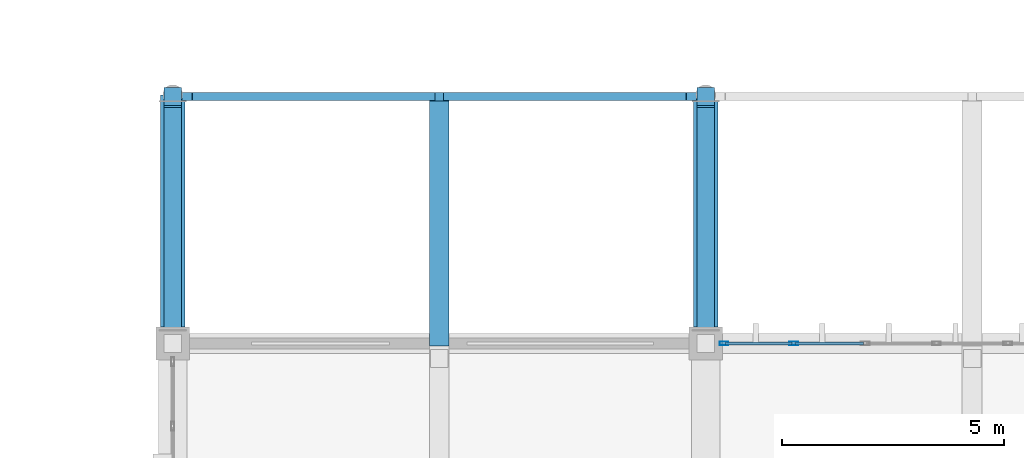
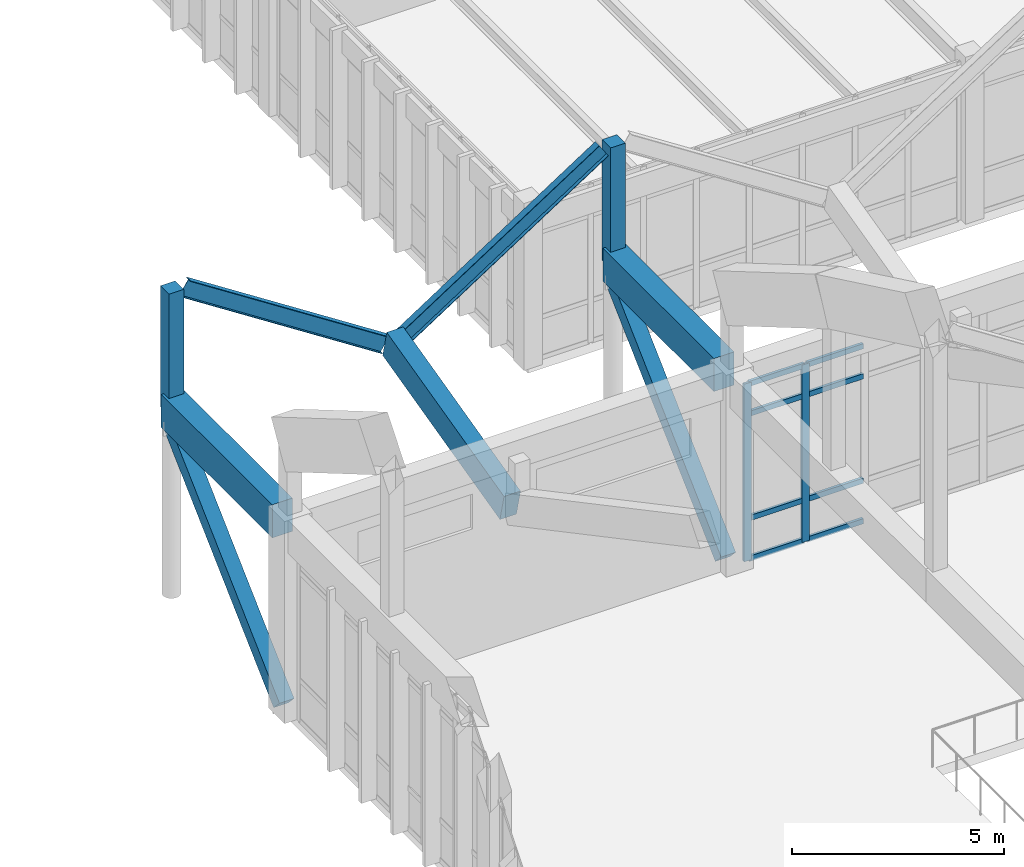
# One storey, part 72 of 236: 14 members, 5 beams, 1 element without a shape of its own.
"""IFC4 building model written with IfcOpenShell, lengths in metres."""

import ifcopenshell
import ifcopenshell.guid

model = None  # the IFC model being written
_history = None  # IfcOwnerHistory: only IFC2X3 demands one
_inside = {}  # id of a spatial element -> (the spatial element, [elements in it])
_under = {}  # id of a project, library or spatial element -> (it, [spatial elements below it])
_declared = {}  # id of a project -> (the project, [libraries it declares])
_typed = {}  # id of a type object -> (the type object, [elements of that type])
_made_of = {}  # id of a material, layer set ... -> (it, [elements and type objects made of it])


def new_model(schema):
    """Start an empty IFC model of exactly this schema.

    Asked for "IFC4X3", IfcOpenShell would pick the latest addendum, in which some entities
    have other attributes; the version numbers below select the first issue.
    IFC2X3 requires an IfcOwnerHistory on every rooted entity: one is made here for all.
    """
    global model, _history
    if schema == "IFC4X3":
        model = ifcopenshell.file(schema_version=(4, 3, 0, 0))
    else:
        model = ifcopenshell.file(schema=schema)
    _inside.clear()
    _under.clear()
    _declared.clear()
    _typed.clear()
    _made_of.clear()
    _history = None
    if model.schema == "IFC2X3":
        org = make("IfcOrganization", Name="unknown")
        user = make(
            "IfcPersonAndOrganization",
            ThePerson=make("IfcPerson", FamilyName="unknown"),
            TheOrganization=org,
        )
        app = make(
            "IfcApplication",
            ApplicationDeveloper=org,
            Version="unknown",
            ApplicationFullName="unknown",
            ApplicationIdentifier="unknown",
        )
        _history = make(
            "IfcOwnerHistory",
            OwningUser=user,
            OwningApplication=app,
            ChangeAction="ADDED",
            CreationDate=0,
        )
    return model


def make(cls, **values):
    """One entity of the class cls with the attributes given. An attribute that is None is left unset."""
    return model.create_entity(
        cls, **{name: value for name, value in values.items() if value is not None}
    )


def rooted(cls, **values):
    """An entity with a GlobalId (a new one), such as an element, a storey or a relation."""
    return make(cls, GlobalId=ifcopenshell.guid.new(), OwnerHistory=_history, **values)


def si_unit(unit_type, name, prefix=None):
    """IfcSIUnit, for example si_unit("LENGTHUNIT", "METRE", prefix="MILLI")."""
    return make("IfcSIUnit", UnitType=unit_type, Prefix=prefix, Name=name)


def assignment(units):
    """IfcUnitAssignment: the units of a project."""
    return None if units is None else make("IfcUnitAssignment", Units=units)


def point(xyz):
    """IfcCartesianPoint."""
    return None if xyz is None else make("IfcCartesianPoint", Coordinates=xyz)


def direction(xyz):
    """IfcDirection."""
    return None if xyz is None else make("IfcDirection", DirectionRatios=xyz)


def frame(location, z_axis=None, x_axis=None):
    """IfcAxis2Placement3D, a coordinate frame: its origin and axes. An axis left out is left unset."""
    return make(
        "IfcAxis2Placement3D",
        Location=point(location),
        Axis=direction(z_axis),
        RefDirection=direction(x_axis),
    )


def frame_2d(location, x_axis=None):
    """IfcAxis2Placement2D, a coordinate frame in the plane: its origin and x axis."""
    return make(
        "IfcAxis2Placement2D", Location=point(location), RefDirection=direction(x_axis)
    )


def origin():
    """The frame at (0, 0, 0) with its axes left unset."""
    return frame((0.0, 0.0, 0.0))


def origin_2d():
    """The frame at (0, 0) in the plane with its x axis left unset."""
    return frame_2d((0.0, 0.0))


def place(relative_to, where):
    """IfcLocalPlacement: puts the frame where relative to a parent placement (None: the world)."""
    return make(
        "IfcLocalPlacement", PlacementRelTo=relative_to, RelativePlacement=where
    )


def context(
    kind, dimensions, precision=None, world=None, true_north=None, identifier=None
):
    """IfcGeometricRepresentationContext, for example the 3D "Model" context."""
    return make(
        "IfcGeometricRepresentationContext",
        ContextIdentifier=identifier,
        ContextType=kind,
        CoordinateSpaceDimension=dimensions,
        Precision=precision,
        WorldCoordinateSystem=world,
        TrueNorth=true_north,
    )


def subcontext(parent, identifier, kind, view, scale=None):
    """IfcGeometricRepresentationSubContext, for example "Body" below "Model"."""
    return make(
        "IfcGeometricRepresentationSubContext",
        ContextIdentifier=identifier,
        ContextType=kind,
        ParentContext=parent,
        TargetScale=scale,
        TargetView=view,
    )


def project(units=None, contexts=None):
    """IfcProject with its units and contexts."""
    return rooted(
        "IfcProject",
        Name="project",
        RepresentationContexts=contexts,
        UnitsInContext=assignment(units),
    )


def spatial(cls, under=None, at=None, **own):
    """A site, building, storey or space (cls), placed at a placement, below another one or the project."""
    s = rooted(cls, ObjectPlacement=at, **own)
    if under is not None:
        _under.setdefault(under.id(), (under, []))[1].append(s)
    return s


def profile(cls, at=None, kind="AREA", **sizes):
    """A parametric profile (cls). Its sizes go by their IFC names, for example OverallWidth=200.0."""
    return make(cls, ProfileType=kind, Position=at, **sizes)


def rectangle(**sizes):
    """IfcRectangleProfileDef."""
    return profile("IfcRectangleProfileDef", **sizes)


def hollow_rectangle(**sizes):
    """IfcRectangleHollowProfileDef."""
    return profile("IfcRectangleHollowProfileDef", **sizes)


def i_section(**sizes):
    """IfcIShapeProfileDef."""
    return profile("IfcIShapeProfileDef", **sizes)


def extrude(swept, where, along, depth):
    """IfcExtrudedAreaSolid: the profile swept, set in the frame where, extruded along a direction by depth."""
    return make(
        "IfcExtrudedAreaSolid",
        SweptArea=swept,
        Position=where,
        ExtrudedDirection=direction(along),
        Depth=depth,
    )


def shape(context_of_items, identifier, shape_type, items):
    """IfcShapeRepresentation: the items that make up one representation, for example the "Body"."""
    return make(
        "IfcShapeRepresentation",
        ContextOfItems=context_of_items,
        RepresentationIdentifier=identifier,
        RepresentationType=shape_type,
        Items=items,
    )


def material(Name=None, Category=None):
    """IfcMaterial."""
    return make("IfcMaterial", Name=Name, Category=Category)


def layer(
    of_material, thickness, ventilated=None, Name=None, Category=None, Priority=None
):
    """IfcMaterialLayer: one layer of a wall or slab, of a material (None: an air gap)."""
    return make(
        "IfcMaterialLayer",
        Material=of_material,
        LayerThickness=thickness,
        IsVentilated=ventilated,
        Name=Name,
        Category=Category,
        Priority=Priority,
    )


def layer_set(layers, Name=None):
    """IfcMaterialLayerSet."""
    return make("IfcMaterialLayerSet", MaterialLayers=layers, LayerSetName=Name)


def material_profile(
    of_material, cross_section, Name=None, Category=None, Priority=None
):
    """IfcMaterialProfile: a cross section and its material."""
    return make(
        "IfcMaterialProfile",
        Name=Name,
        Material=of_material,
        Profile=cross_section,
        Priority=Priority,
        Category=Category,
    )


def profile_set(profiles, Name=None, composite=None):
    """IfcMaterialProfileSet."""
    return make(
        "IfcMaterialProfileSet",
        Name=Name,
        MaterialProfiles=profiles,
        CompositeProfile=composite,
    )


def made_of(thing, what):
    """Note that an element or type object is made of a material, layer set ...; save() writes the relation."""
    if what is not None:
        _made_of.setdefault(what.id(), (what, []))[1].append(thing)
    return thing


def type_object(cls, material=None, **own):
    """A type object (cls), such as IfcWallType, which elements share."""
    return made_of(rooted(cls, **own), material)


def element(
    cls,
    number,
    at=None,
    inside=None,
    cuts=None,
    type_object=None,
    material=None,
    context=None,
    identifier="Body",
    shape_type=None,
    held_by="IfcProductDefinitionShape",
    body=None,
    shapes=None,
    **own,
):
    """One element of the class cls, such as IfcWall. Its Tag is "e" and its number.

    at: its placement. inside: the storey or other place that contains it. cuts: it is an
    opening in that element (IfcRelVoidsElement). A single representation is given by context,
    identifier, shape_type and body (its items); several are given by shapes. held_by: the class
    of the entity that holds the representations. save() writes the other relations.
    """
    e = rooted(cls, Tag="e%d" % number, ObjectPlacement=at, **own)
    if body is not None:
        shapes = [shape(context, identifier, shape_type, body)]
    if shapes is not None:
        e.Representation = make(held_by, Representations=shapes)
    if inside is not None:
        _inside.setdefault(inside.id(), (inside, []))[1].append(e)
    if cuts is not None:
        rooted(
            "IfcRelVoidsElement", RelatingBuildingElement=cuts, RelatedOpeningElement=e
        )
    if type_object is not None:
        _typed.setdefault(type_object.id(), (type_object, []))[1].append(e)
    return made_of(e, material)


def aggregate(whole, parts):
    """IfcRelAggregates: a whole, such as a stair, and the parts it consists of."""
    return rooted("IfcRelAggregates", RelatingObject=whole, RelatedObjects=parts)


def save(model, path):
    """Write the relations noted so far, then the file.

    IfcRelAggregates (storeys below a building ...), IfcRelContainedInSpatialStructure (elements
    in a storey), IfcRelDefinesByType, IfcRelAssociatesMaterial and IfcRelDeclares: one each for
    every whole, place, type object, material and project.
    """
    for whole, parts in _under.values():
        aggregate(whole, parts)
    for where, things in _inside.values():
        rooted(
            "IfcRelContainedInSpatialStructure",
            RelatedElements=things,
            RelatingStructure=where,
        )
    for kind, things in _typed.values():
        rooted("IfcRelDefinesByType", RelatedObjects=things, RelatingType=kind)
    for what, things in _made_of.values():
        rooted("IfcRelAssociatesMaterial", RelatedObjects=things, RelatingMaterial=what)
    for by, libraries in _declared.values():
        rooted("IfcRelDeclares", RelatingContext=by, RelatedDefinitions=libraries)
    model.write(path)


model = new_model("IFC4")

# Units and contexts
model_context = context("Model", 3, precision=1e-05, world=origin(), true_north=direction((0.0, 1.0)))
body_context = subcontext(model_context, "Body", "Model", "MODEL_VIEW")
ifc_project = project(units=[si_unit("LENGTHUNIT", "METRE"), si_unit("AREAUNIT", "SQUARE_METRE"), si_unit("VOLUMEUNIT", "CUBIC_METRE"), si_unit("PLANEANGLEUNIT", "RADIAN"), si_unit("MASSUNIT", "GRAM", prefix="KILO")], contexts=[model_context])

# Site, building, storey
site_placement = place(None, origin())
site = spatial("IfcSite", under=ifc_project, at=site_placement, CompositionType="ELEMENT")
building_placement = place(site_placement, origin())
building = spatial("IfcBuilding", under=site, at=building_placement, Name="Pandanus Reach Market Hall", CompositionType="ELEMENT")
storey_placement = place(building_placement, frame((0.0, 0.0, 5.39990234375)))
storey = spatial("IfcBuildingStorey", under=building, at=storey_placement, Name="L01", CompositionType="ELEMENT", Elevation=5.39990234375)

# Members
ifc_material_1 = material(Name="Concrete N50 (50 MPa)", Category="concrete")
ifc_material_profile_1 = material_profile(ifc_material_1, rectangle(XDim=0.39990234375, YDim=0.39990234375, at=origin_2d()), Name="RC400x400", Category="LoadBearing")
ifc_profile_set_1 = profile_set([ifc_material_profile_1], Name="Concrete N50 (50 MPa)")
member_type_1 = type_object("IfcMemberType", Name="AR-WEB400-E", PredefinedType="STRUT", material=ifc_profile_set_1)
for number, where, z_axis, x_axis, name in (
    (1, (48.0, 91.9599609375, 5.3251953125), (0.0, 0.0, 1.0), (1.0, 0.0, 0.0), "Zigzag eaves ridge post A1.N"),
    (2, (60.0, 91.9599609375, 5.3251953125), (0.0, 0.0, 1.0), (1.0, 0.0, 0.0), "Zigzag eaves ridge post A2.N"),
):
    element("IfcMember", number, at=place(storey_placement, frame(where, z_axis=z_axis, x_axis=x_axis)), inside=storey, type_object=member_type_1, Name=name, PredefinedType="STRUT", context=body_context, shape_type="SweptSolid", body=[
        extrude(rectangle(XDim=0.39990234375, YDim=0.39990234375, at=origin_2d()), origin(), (0.0, 0.0, 1.0), 3.474853515625),
    ])

# Beams
ifc_material_2 = material(Name="Concrete N40 (40 MPa)", Category="concrete")
ifc_material_profile_2 = material_profile(ifc_material_2, rectangle(XDim=0.449951171875, YDim=0.800048828125, at=origin_2d()), Name="RC450x800", Category="LoadBearing")
ifc_profile_set_2 = profile_set([ifc_material_profile_2], Name="Concrete N40 (40 MPa)")
beam_type_1 = type_object("IfcBeamType", Name="BM-RC450-I", PredefinedType="BEAM", material=ifc_profile_set_2)
beam_placement = place(storey_placement, frame((54.0, 86.43994140625, 3.7900390625), z_axis=(0.0, 0.97055017704, 0.240899053231), x_axis=(-1.0, 0.0, 0.0)))
element("IfcBeam", 3, at=beam_placement, inside=storey, type_object=beam_type_1, Name="Butterfly valley beam B1.8", PredefinedType="BEAM", context=body_context, shape_type="SweptSolid", body=[
    extrude(rectangle(XDim=0.449951171875, YDim=0.800048828125, at=origin_2d()), origin(), (0.0, 0.0, 1.0), 5.6875),
])
ifc_material_profile_3 = material_profile(ifc_material_1, rectangle(XDim=0.550048828125, YDim=0.949951171875, at=origin_2d()), Name="RC550x950", Category="LoadBearing")
ifc_profile_set_3 = profile_set([ifc_material_profile_3], Name="Concrete N50 (50 MPa)")
beam_type_2 = type_object("IfcBeamType", Name="BM-RC550-E", PredefinedType="BEAM", material=ifc_profile_set_3)
for number, where, z_axis, x_axis, name in (
    (4, (48.0, 86.77001953125, 5.3251953125), (0.0, 1.0, 0.0), (-1.0, 0.0, 0.0), "Zigzag north eaves cantilever girder A1N"),
    (5, (60.0, 86.77001953125, 5.3251953125), (0.0, 1.0, 0.0), (-1.0, 0.0, 0.0), "Zigzag north eaves cantilever girder A2N"),
):
    element("IfcBeam", number, at=place(storey_placement, frame(where, z_axis=z_axis, x_axis=x_axis)), inside=storey, type_object=beam_type_2, Name=name, PredefinedType="BEAM", context=body_context, shape_type="SweptSolid", body=[
        extrude(rectangle(XDim=0.550048828125, YDim=0.949951171875, at=origin_2d()), origin(), (0.0, 0.0, 1.0), 5.22998046875),
    ])
ifc_material_3 = material(Name="Steel Grade 350 (350 MPa)", Category="steel")
ifc_material_profile_4 = material_profile(ifc_material_3, i_section(OverallWidth=0.18994140625, OverallDepth=0.45703125, WebThickness=0.009033203125, FlangeThickness=0.014404296875, at=origin_2d()), Name="460UB74.6", Category="LoadBearing")
ifc_profile_set_4 = profile_set([ifc_material_profile_4], Name="Steel Grade 350 (350 MPa)")
beam_type_3 = type_object("IfcBeamType", Name="BM-UB460-E", PredefinedType="BEAM", material=ifc_profile_set_4)
for number, where, z_axis, x_axis, name in (
    (6, (48.320068359375, 91.9599609375, 8.7001953125), (0.839070527962, 0.0, -0.544022654956), (0.0, 1.0, 0.0), "Butterfly transverse rib B1.8L"),
    (7, (54.219970703125, 91.9599609375, 5.16015625), (0.839070527962, 0.0, 0.544022654956), (0.0, 1.0, 0.0), "Butterfly transverse rib B1.8R"),
):
    element("IfcBeam", number, at=place(storey_placement, frame(where, z_axis=z_axis, x_axis=x_axis)), inside=storey, type_object=beam_type_3, Name=name, PredefinedType="BEAM", context=body_context, shape_type="SweptSolid", body=[
        extrude(i_section(OverallWidth=0.18994140625, OverallDepth=0.45703125, WebThickness=0.009033203125, FlangeThickness=0.014404296875, at=origin_2d()), origin(), (0.0, 0.0, 1.0), 6.507080078125),
    ])

# Curtain wall, members
ifc_material_4 = material(Name="Bronze anodised aluminium and low-E glass", Category="aluminium")
ifc_layer = layer(ifc_material_4, 0.199951171875, Name="CW-02")
ifc_layer_set = layer_set([ifc_layer], Name="Bronze anodised aluminium and low-E glass")
curtain_wall_type = type_object("IfcCurtainWallType", Name="CW-02", PredefinedType="NOTDEFINED", material=ifc_layer_set)
curtain_wall_placement = place(storey_placement, origin())
curtain_wall = element("IfcCurtainWall", 8, at=curtain_wall_placement, inside=storey, type_object=curtain_wall_type, Name="Glazed curtain wall CW-02 CW-0010", PredefinedType="NOTDEFINED")
ifc_material_5 = material(Name="Bronze anodised aluminium", Category="aluminium")
ifc_material_profile_5 = material_profile(ifc_material_5, hollow_rectangle(XDim=0.074951171875, YDim=0.199951171875, WallThickness=0.00439453125, at=origin_2d()), Name="ALU75x200", Category="LoadBearing")
ifc_profile_set_5 = profile_set([ifc_material_profile_5], Name="Bronze anodised aluminium")
member_type_2 = type_object("IfcMemberType", Name="CW-M2", PredefinedType="MULLION", material=ifc_profile_set_5)
member_1_placement = place(storey_placement, frame((60.41259765625, 86.39990234375, 0.0), z_axis=(0.0, 0.0, 1.0), x_axis=(0.0, 1.0, 0.0)))
member_1 = element("IfcMember", 9, at=member_1_placement, type_object=member_type_2, Name="CW-02 mullion 1", PredefinedType="MULLION", context=body_context, shape_type="SweptSolid", body=[
    extrude(hollow_rectangle(XDim=0.074951171875, YDim=0.199951171875, WallThickness=0.00439453125, at=origin_2d()), origin(), (0.0, 0.0, 1.0), 5.10009765625),
])
member_2_placement = place(storey_placement, frame((61.982177734375, 86.39990234375, 0.0), z_axis=(0.0, 0.0, 1.0), x_axis=(0.0, 1.0, 0.0)))
member_2 = element("IfcMember", 10, at=member_2_placement, type_object=member_type_2, Name="CW-02 mullion 2", PredefinedType="MULLION", context=body_context, shape_type="SweptSolid", body=[
    extrude(hollow_rectangle(XDim=0.074951171875, YDim=0.199951171875, WallThickness=0.00439453125, at=origin_2d()), origin(), (0.0, 0.0, 1.0), 5.10009765625),
])
ifc_material_profile_6 = material_profile(ifc_material_5, hollow_rectangle(XDim=0.074951171875, YDim=0.14990234375, WallThickness=0.00439453125, at=origin_2d()), Name="ALU75x150", Category="LoadBearing")
ifc_profile_set_6 = profile_set([ifc_material_profile_6], Name="Bronze anodised aluminium")
member_type_3 = type_object("IfcMemberType", Name="CW-T2", PredefinedType="USERDEFINED", material=ifc_profile_set_6)
member_3_placement = place(storey_placement, frame((60.449951171875, 86.39990234375, 0.03759765625), z_axis=(1.0, 0.0, 0.0), x_axis=(0.0, 1.0, 0.0)))
member_3 = element("IfcMember", 11, at=member_3_placement, type_object=member_type_3, Name="CW-02 transom 1.1", ObjectType="TRANSOM", PredefinedType="USERDEFINED", context=body_context, shape_type="SweptSolid", body=[
    extrude(hollow_rectangle(XDim=0.074951171875, YDim=0.14990234375, WallThickness=0.00439453125, at=origin_2d()), origin(), (0.0, 0.0, 1.0), 1.49462890625),
])
member_4_placement = place(storey_placement, frame((60.449951171875, 86.39990234375, 1.2001953125), z_axis=(1.0, 0.0, 0.0), x_axis=(0.0, 1.0, 0.0)))
member_4 = element("IfcMember", 12, at=member_4_placement, type_object=member_type_3, Name="CW-02 transom 1.2", ObjectType="TRANSOM", PredefinedType="USERDEFINED", context=body_context, shape_type="SweptSolid", body=[
    extrude(hollow_rectangle(XDim=0.074951171875, YDim=0.14990234375, WallThickness=0.00439453125, at=origin_2d()), origin(), (0.0, 0.0, 1.0), 1.49462890625),
])
member_5_placement = place(storey_placement, frame((60.449951171875, 86.39990234375, 4.2001953125), z_axis=(1.0, 0.0, 0.0), x_axis=(0.0, 1.0, 0.0)))
member_5 = element("IfcMember", 13, at=member_5_placement, type_object=member_type_3, Name="CW-02 transom 1.3", ObjectType="TRANSOM", PredefinedType="USERDEFINED", context=body_context, shape_type="SweptSolid", body=[
    extrude(hollow_rectangle(XDim=0.074951171875, YDim=0.14990234375, WallThickness=0.00439453125, at=origin_2d()), origin(), (0.0, 0.0, 1.0), 1.49462890625),
])
member_6_placement = place(storey_placement, frame((60.449951171875, 86.39990234375, 5.0625), z_axis=(1.0, 0.0, 0.0), x_axis=(0.0, 1.0, 0.0)))
member_6 = element("IfcMember", 14, at=member_6_placement, type_object=member_type_3, Name="CW-02 transom 1.4", ObjectType="TRANSOM", PredefinedType="USERDEFINED", context=body_context, shape_type="SweptSolid", body=[
    extrude(hollow_rectangle(XDim=0.074951171875, YDim=0.14990234375, WallThickness=0.00439453125, at=origin_2d()), origin(), (0.0, 0.0, 1.0), 1.49462890625),
])
member_7_placement = place(storey_placement, frame((62.01953125, 86.39990234375, 0.03759765625), z_axis=(1.0, 0.0, 0.0), x_axis=(0.0, 1.0, 0.0)))
member_7 = element("IfcMember", 15, at=member_7_placement, type_object=member_type_3, Name="CW-02 transom 2.1", ObjectType="TRANSOM", PredefinedType="USERDEFINED", context=body_context, shape_type="SweptSolid", body=[
    extrude(hollow_rectangle(XDim=0.074951171875, YDim=0.14990234375, WallThickness=0.00439453125, at=origin_2d()), origin(), (0.0, 0.0, 1.0), 1.5322265625),
])
member_8_placement = place(storey_placement, frame((62.01953125, 86.39990234375, 1.2001953125), z_axis=(1.0, 0.0, 0.0), x_axis=(0.0, 1.0, 0.0)))
member_8 = element("IfcMember", 16, at=member_8_placement, type_object=member_type_3, Name="CW-02 transom 2.2", ObjectType="TRANSOM", PredefinedType="USERDEFINED", context=body_context, shape_type="SweptSolid", body=[
    extrude(hollow_rectangle(XDim=0.074951171875, YDim=0.14990234375, WallThickness=0.00439453125, at=origin_2d()), origin(), (0.0, 0.0, 1.0), 1.5322265625),
])
member_9_placement = place(storey_placement, frame((62.01953125, 86.39990234375, 4.2001953125), z_axis=(1.0, 0.0, 0.0), x_axis=(0.0, 1.0, 0.0)))
member_9 = element("IfcMember", 17, at=member_9_placement, type_object=member_type_3, Name="CW-02 transom 2.3", ObjectType="TRANSOM", PredefinedType="USERDEFINED", context=body_context, shape_type="SweptSolid", body=[
    extrude(hollow_rectangle(XDim=0.074951171875, YDim=0.14990234375, WallThickness=0.00439453125, at=origin_2d()), origin(), (0.0, 0.0, 1.0), 1.5322265625),
])
member_10_placement = place(storey_placement, frame((62.01953125, 86.39990234375, 5.0625), z_axis=(1.0, 0.0, 0.0), x_axis=(0.0, 1.0, 0.0)))
member_10 = element("IfcMember", 18, at=member_10_placement, type_object=member_type_3, Name="CW-02 transom 2.4", ObjectType="TRANSOM", PredefinedType="USERDEFINED", context=body_context, shape_type="SweptSolid", body=[
    extrude(hollow_rectangle(XDim=0.074951171875, YDim=0.14990234375, WallThickness=0.00439453125, at=origin_2d()), origin(), (0.0, 0.0, 1.0), 1.5322265625),
])
aggregate(curtain_wall, [member_1, member_2, member_3, member_4, member_5, member_6, member_7, member_8, member_9, member_10])

# Members
ifc_material_profile_7 = material_profile(ifc_material_1, rectangle(XDim=0.39990234375, YDim=0.39990234375, at=origin_2d()), Name="RC400x400", Category="LoadBearing")
ifc_profile_set_7 = profile_set([ifc_material_profile_7], Name="Concrete N50 (50 MPa)")
member_type_4 = type_object("IfcMemberType", Name="VS-RC400-E", PredefinedType="STRUT", material=ifc_profile_set_7)
for number, where, z_axis, x_axis, name in (
    (19, (48.0, 86.699951171875, 0.050048828125), (0.0, 0.727995304502, 0.685582115157), (-1.0, 0.0, 0.0), "Splayed concrete north arcade V-strut A1N"),
    (20, (60.0, 86.699951171875, 0.050048828125), (0.0, 0.727995304502, 0.685582115157), (-1.0, 0.0, 0.0), "Splayed concrete north arcade V-strut A2N"),
):
    element("IfcMember", number, at=place(storey_placement, frame(where, z_axis=z_axis, x_axis=x_axis)), inside=storey, type_object=member_type_4, Name=name, PredefinedType="STRUT", context=body_context, shape_type="SweptSolid", body=[
        extrude(rectangle(XDim=0.39990234375, YDim=0.39990234375, at=origin_2d()), origin(), (0.0, 0.0, 1.0), 7.074462890625),
    ])

save(model, "model.ifc")
